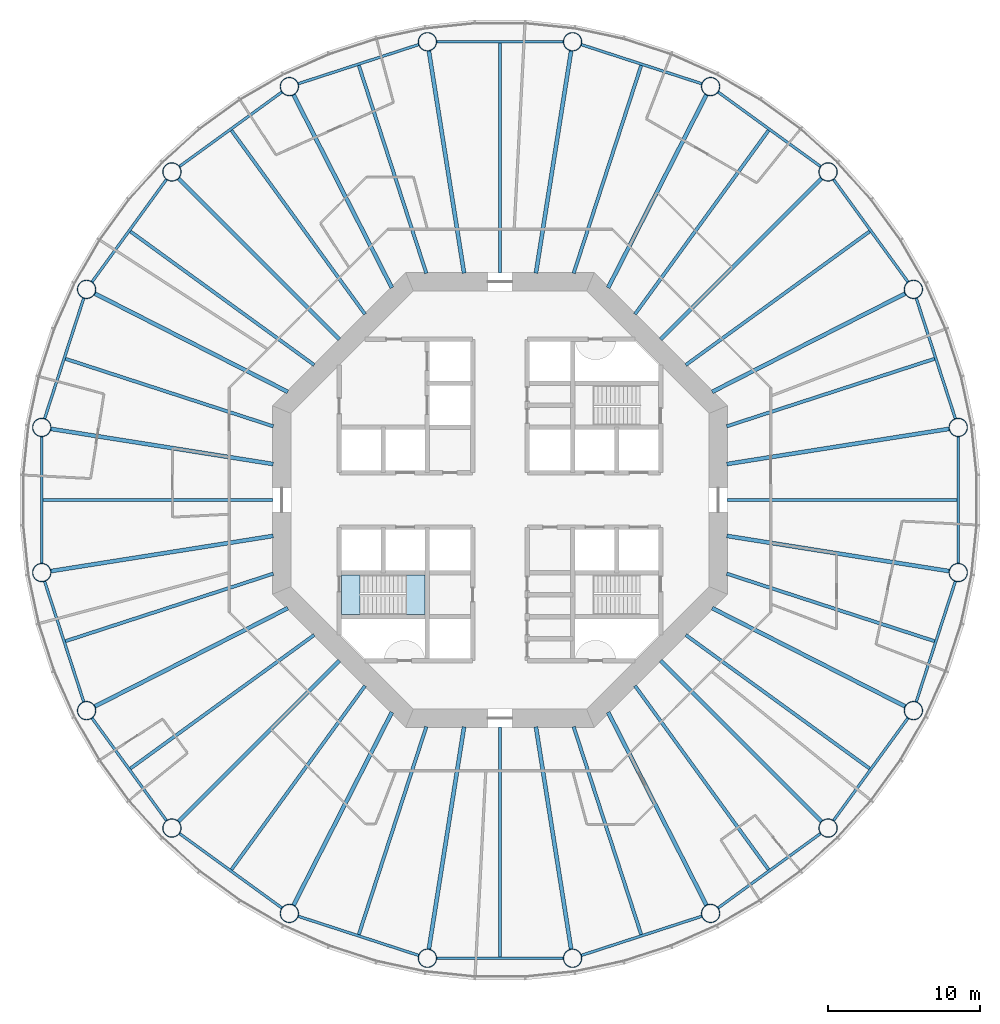
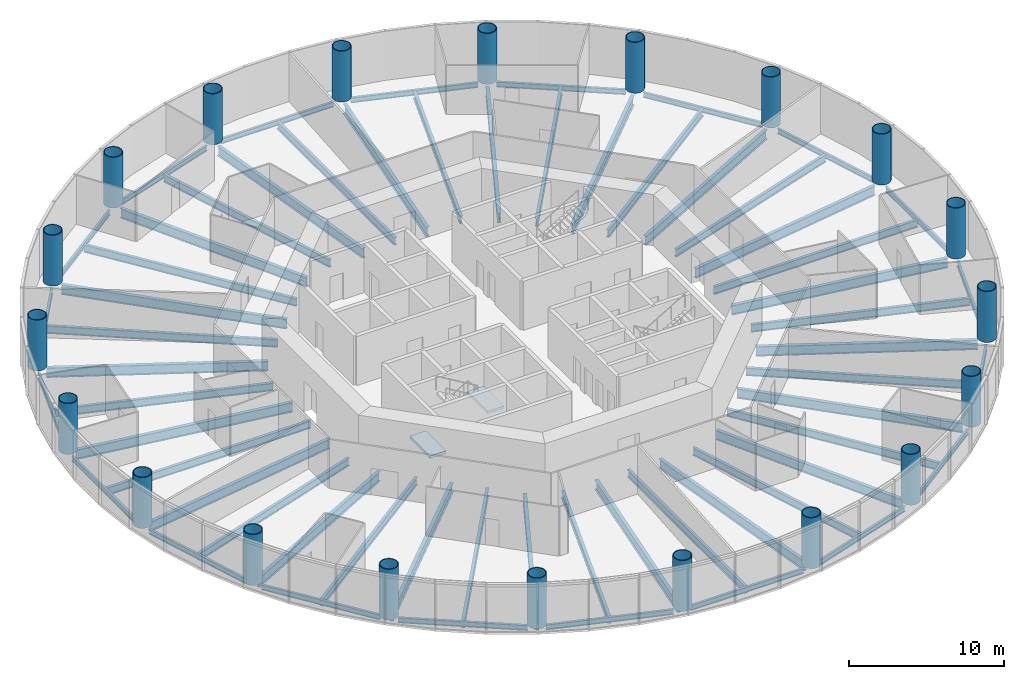
# One storey, part 1 of 13: 60 beams, 20 columns, 2 slabs, 1 element without a shape of its own.
"""IFC4 building model written with IfcOpenShell, lengths in metres."""

from ifc_helpers import new_model, si_unit, direction, frame, origin, origin_2d, place, context, subcontext, project, spatial, polyline, circle, hollow_circle, i_section, outline, extrude, material, layer, layer_set, material_profile, profile_set, type_object, element, aggregate, save


model = new_model("IFC4")

# Units and contexts
model_context = context("Model", 3, precision=1e-05, world=origin(), true_north=direction((0.0, 1.0)))
body_context = subcontext(model_context, "Body", "Model", "MODEL_VIEW")
ifc_project = project(units=[si_unit("LENGTHUNIT", "METRE"), si_unit("AREAUNIT", "SQUARE_METRE"), si_unit("VOLUMEUNIT", "CUBIC_METRE"), si_unit("PLANEANGLEUNIT", "RADIAN"), si_unit("MASSUNIT", "GRAM", prefix="KILO")], contexts=[model_context])

# Site, building, storey
site_placement = place(None, origin())
site = spatial("IfcSite", under=ifc_project, at=site_placement, CompositionType="ELEMENT")
building_placement = place(site_placement, origin())
building = spatial("IfcBuilding", under=site, at=building_placement, Name="Entoto Ring Tower", CompositionType="ELEMENT")
storey_placement = place(building_placement, frame((0.0, 0.0, 84.0)))
storey = spatial("IfcBuildingStorey", under=building, at=storey_placement, Name="L18", CompositionType="ELEMENT", Elevation=84.0)

# Columns
ifc_material_1 = material(Name="Steel S355", Category="steel")
ifc_material_profile_1 = material_profile(ifc_material_1, hollow_circle(Radius=0.625, WallThickness=0.054931640625, at=origin_2d()), Name="CHS 1250 x 55")
ifc_material_2 = material(Name="Concrete C60/75", Category="concrete")
ifc_material_profile_2 = material_profile(ifc_material_2, circle(Radius=0.570068359375, at=origin_2d()), Name="Concrete C60/75 infill")
ifc_profile_set_1 = profile_set([ifc_material_profile_1, ifc_material_profile_2], Name="Steel S355")
column_type = type_object("IfcColumnType", Name="Ring column 1250 x 55 concrete-filled tube", PredefinedType="COLUMN", material=ifc_profile_set_1)
for number, where, z_axis, x_axis, name in (
    (1, (120.22314453125, 84.786865234375, 0.0), (0.0, 0.0, 1.0), (1.0, 0.0, 0.0), "RC2 R01"),
    (2, (117.264892578125, 93.89208984375, 0.0), (0.0, 0.0, 1.0), (1.0, 0.0, 0.0), "RC2 R02"),
    (3, (111.637451171875, 101.637451171875, 0.0), (0.0, 0.0, 1.0), (1.0, 0.0, 0.0), "RC2 R03"),
    (4, (103.89208984375, 107.264892578125, 0.0), (0.0, 0.0, 1.0), (1.0, 0.0, 0.0), "RC2 R04"),
    (5, (94.786865234375, 110.22314453125, 0.0), (0.0, 0.0, 1.0), (1.0, 0.0, 0.0), "RC2 R05"),
    (6, (85.213134765625, 110.22314453125, 0.0), (0.0, 0.0, 1.0), (1.0, 0.0, 0.0), "RC2 R06"),
    (7, (76.10791015625, 107.264892578125, 0.0), (0.0, 0.0, 1.0), (1.0, 0.0, 0.0), "RC2 R07"),
    (8, (68.362548828125, 101.637451171875, 0.0), (0.0, 0.0, 1.0), (1.0, 0.0, 0.0), "RC2 R08"),
    (9, (62.735107421875, 93.89208984375, 0.0), (0.0, 0.0, 1.0), (1.0, 0.0, 0.0), "RC2 R09"),
    (10, (59.77685546875, 84.786865234375, 0.0), (0.0, 0.0, 1.0), (1.0, 0.0, 0.0), "RC2 R10"),
    (11, (59.77685546875, 75.213134765625, 0.0), (0.0, 0.0, 1.0), (1.0, 0.0, 0.0), "RC2 R11"),
    (12, (62.735107421875, 66.10791015625, 0.0), (0.0, 0.0, 1.0), (1.0, 0.0, 0.0), "RC2 R12"),
    (13, (68.362548828125, 58.362548828125, 0.0), (0.0, 0.0, 1.0), (1.0, 0.0, 0.0), "RC2 R13"),
    (14, (76.10791015625, 52.735107421875, 0.0), (0.0, 0.0, 1.0), (1.0, 0.0, 0.0), "RC2 R14"),
    (15, (85.213134765625, 49.77685546875, 0.0), (0.0, 0.0, 1.0), (1.0, 0.0, 0.0), "RC2 R15"),
    (16, (94.786865234375, 49.77685546875, 0.0), (0.0, 0.0, 1.0), (1.0, 0.0, 0.0), "RC2 R16"),
    (17, (103.89208984375, 52.735107421875, 0.0), (0.0, 0.0, 1.0), (1.0, 0.0, 0.0), "RC2 R17"),
    (18, (111.637451171875, 58.362548828125, 0.0), (0.0, 0.0, 1.0), (1.0, 0.0, 0.0), "RC2 R18"),
    (19, (117.264892578125, 66.10791015625, 0.0), (0.0, 0.0, 1.0), (1.0, 0.0, 0.0), "RC2 R19"),
    (20, (120.22314453125, 75.213134765625, 0.0), (0.0, 0.0, 1.0), (1.0, 0.0, 0.0), "RC2 R20"),
):
    element("IfcColumn", number, at=place(storey_placement, frame(where, z_axis=z_axis, x_axis=x_axis)), inside=storey, type_object=column_type, Name=name, PredefinedType="COLUMN", context=body_context, shape_type="SweptSolid", body=[
        extrude(hollow_circle(Radius=0.625, WallThickness=0.054931640625, at=origin_2d()), origin(), (0.0, 0.0, 1.0), 4.0),
    ])

# Beams
ifc_material_3 = material(Name="Steel S355", Category="steel")
ifc_material_profile_3 = material_profile(ifc_material_3, i_section(OverallWidth=0.179931640625, OverallDepth=0.39990234375, WebThickness=0.008544921875, FlangeThickness=0.013427734375, FilletRadius=0.02099609375, at=origin_2d()), Name="IPE 400")
ifc_profile_set_2 = profile_set([ifc_material_profile_3], Name="Steel S355")
beam_type_1 = type_object("IfcBeamType", Name="Edge beam IPE 400", PredefinedType="SPANDREL", material=ifc_profile_set_2)
for number, where, z_axis, x_axis, name in (
    (21, (120.038330078125, 85.35595703125, -0.35009765625), (-0.309014241039, 0.951057410904, 0.0), (-0.951057410904, -0.309014241039, 0.0), "Edge beam L18 01"),
    (22, (116.9130859375, 94.376220703125, -0.35009765625), (-0.587783458554, 0.8090182976, 0.0), (-0.8090182976, -0.587783458554, 0.0), "Edge beam L18 02"),
    (23, (111.1533203125, 101.9892578125, -0.35009765625), (-0.8090182976, 0.587783458554, 0.0), (-0.587783458554, -0.8090182976, 0.0), "Edge beam L18 03"),
    (24, (103.322998046875, 107.44970703125, -0.35009765625), (-0.951057410904, 0.309014241039, 0.0), (-0.309014241039, -0.951057410904, 0.0), "Edge beam L18 04"),
    (25, (94.1884765625, 110.22314453125, -0.35009765625), (-1.0, 0.0, 0.0), (0.0, -1.0, 0.0), "Edge beam L18 05"),
    (26, (84.64404296875, 110.038330078125, -0.35009765625), (-0.951057410904, -0.309014241039, 0.0), (0.309014241039, -0.951057410904, 0.0), "Edge beam L18 06"),
    (27, (75.623779296875, 106.9130859375, -0.35009765625), (-0.8090182976, -0.587783458554, 0.0), (0.587783458554, -0.8090182976, 0.0), "Edge beam L18 07"),
    (28, (68.0107421875, 101.1533203125, -0.35009765625), (-0.587783458554, -0.8090182976, 0.0), (0.8090182976, -0.587783458554, 0.0), "Edge beam L18 08"),
    (29, (62.55029296875, 93.322998046875, -0.35009765625), (-0.309014241039, -0.951057410904, 0.0), (0.951057410904, -0.309014241039, 0.0), "Edge beam L18 09"),
    (30, (59.77685546875, 84.1884765625, -0.35009765625), (0.0, -1.0, 0.0), (1.0, 0.0, 0.0), "Edge beam L18 10"),
    (31, (59.961669921875, 74.64404296875, -0.35009765625), (0.309014241039, -0.951057410904, 0.0), (0.951057410904, 0.309014241039, 0.0), "Edge beam L18 11"),
    (32, (63.0869140625, 65.623779296875, -0.35009765625), (0.587783458554, -0.8090182976, 0.0), (0.8090182976, 0.587783458554, 0.0), "Edge beam L18 12"),
    (33, (68.8466796875, 58.0107421875, -0.35009765625), (0.8090182976, -0.587783458554, 0.0), (0.587783458554, 0.8090182976, 0.0), "Edge beam L18 13"),
    (34, (76.677001953125, 52.55029296875, -0.35009765625), (0.951057410904, -0.309014241039, 0.0), (0.309014241039, 0.951057410904, 0.0), "Edge beam L18 14"),
    (35, (85.8115234375, 49.77685546875, -0.35009765625), (1.0, 0.0, 0.0), (0.0, 1.0, 0.0), "Edge beam L18 15"),
    (36, (95.35595703125, 49.961669921875, -0.35009765625), (0.951057410904, 0.309014241039, 0.0), (-0.309014241039, 0.951057410904, 0.0), "Edge beam L18 16"),
    (37, (104.376220703125, 53.0869140625, -0.35009765625), (0.8090182976, 0.587783458554, 0.0), (-0.587783458554, 0.8090182976, 0.0), "Edge beam L18 17"),
    (38, (111.9892578125, 58.8466796875, -0.35009765625), (0.587783458554, 0.8090182976, 0.0), (-0.8090182976, 0.587783458554, 0.0), "Edge beam L18 18"),
    (39, (117.44970703125, 66.677001953125, -0.35009765625), (0.309014241039, 0.951057410904, 0.0), (-0.951057410904, 0.309014241039, 0.0), "Edge beam L18 19"),
    (40, (120.22314453125, 75.8115234375, -0.35009765625), (0.0, 1.0, 0.0), (-1.0, 0.0, 0.0), "Edge beam L18 20"),
):
    element("IfcBeam", number, at=place(storey_placement, frame(where, z_axis=z_axis, x_axis=x_axis)), inside=storey, type_object=beam_type_1, Name=name, PredefinedType="SPANDREL", context=body_context, shape_type="SweptSolid", body=[
        extrude(i_section(OverallWidth=0.179931640625, OverallDepth=0.39990234375, WebThickness=0.008544921875, FlangeThickness=0.013427734375, FilletRadius=0.02099609375, at=origin_2d()), origin(), (0.0, 0.0, 1.0), 8.376953125),
    ])
ifc_material_4 = material(Name="Steel S355", Category="steel")
ifc_material_profile_4 = material_profile(ifc_material_4, i_section(OverallWidth=0.262939453125, OverallDepth=0.7529296875, WebThickness=0.011474609375, FlangeThickness=0.01708984375, FilletRadius=0.01708984375, at=origin_2d()), Name="IPE 750 x 137")
ifc_profile_set_3 = profile_set([ifc_material_profile_4], Name="Steel S355")
beam_type_2 = type_object("IfcBeamType", Name="Primary floor beam IPE 750 x 137", PredefinedType="BEAM", material=ifc_profile_set_3)
beam_1_placement = place(storey_placement, frame((104.959716796875, 82.369384765625, -0.526611328125), z_axis=(0.98768960451, 0.156426484787, 0.0), x_axis=(-0.156426484787, 0.98768960451, 0.0)))
element("IfcBeam", 41, at=beam_1_placement, inside=storey, type_object=beam_type_2, Name="Primary L18 R01", PredefinedType="BEAM", context=body_context, shape_type="SweptSolid", body=[
    extrude(i_section(OverallWidth=0.262939453125, OverallDepth=0.7529296875, WebThickness=0.011474609375, FlangeThickness=0.01708984375, FilletRadius=0.01708984375, at=origin_2d()), origin(), (0.0, 0.0, 1.0), 14.86279296875),
])
beam_2_placement = place(storey_placement, frame((103.9970703125, 87.1318359375, -0.526611328125), z_axis=(0.891007312585, 0.453988952421, 0.0), x_axis=(-0.453988952421, 0.891007312585, 0.0)))
element("IfcBeam", 42, at=beam_2_placement, inside=storey, type_object=beam_type_2, Name="Primary L18 R02", PredefinedType="BEAM", context=body_context, shape_type="SweptSolid", body=[
    extrude(i_section(OverallWidth=0.262939453125, OverallDepth=0.7529296875, WebThickness=0.011474609375, FlangeThickness=0.01708984375, FilletRadius=0.01708984375, at=origin_2d()), origin(), (0.0, 0.0, 1.0), 14.2998046875),
])
beam_3_placement = place(storey_placement, frame((100.592529296875, 90.592529296875, -0.526611328125), z_axis=(0.707106781187, 0.707106781187, 0.0), x_axis=(-0.707106781187, 0.707106781187, 0.0)))
element("IfcBeam", 43, at=beam_3_placement, inside=storey, type_object=beam_type_2, Name="Primary L18 R03", PredefinedType="BEAM", context=body_context, shape_type="SweptSolid", body=[
    extrude(i_section(OverallWidth=0.262939453125, OverallDepth=0.7529296875, WebThickness=0.011474609375, FlangeThickness=0.01708984375, FilletRadius=0.01708984375, at=origin_2d()), origin(), (0.0, 0.0, 1.0), 15.029052734375),
])
beam_4_placement = place(storey_placement, frame((97.1318359375, 93.9970703125, -0.526611328125), z_axis=(0.453988952421, 0.891007312585, 0.0), x_axis=(-0.891007312585, 0.453988952421, 0.0)))
element("IfcBeam", 44, at=beam_4_placement, inside=storey, type_object=beam_type_2, Name="Primary L18 R04", PredefinedType="BEAM", context=body_context, shape_type="SweptSolid", body=[
    extrude(i_section(OverallWidth=0.262939453125, OverallDepth=0.7529296875, WebThickness=0.011474609375, FlangeThickness=0.01708984375, FilletRadius=0.01708984375, at=origin_2d()), origin(), (0.0, 0.0, 1.0), 14.2998046875),
])
for number, where, z_axis, x_axis, name in (
    (45, (92.369384765625, 94.959716796875, -0.526611328125), (0.156426484787, 0.98768960451, 0.0), (-0.98768960451, 0.156426484787, 0.0), "Primary L18 R05"),
    (46, (87.630615234375, 94.959716796875, -0.526611328125), (-0.156426484787, 0.98768960451, 0.0), (-0.98768960451, -0.156426484787, 0.0), "Primary L18 R06"),
):
    element("IfcBeam", number, at=place(storey_placement, frame(where, z_axis=z_axis, x_axis=x_axis)), inside=storey, type_object=beam_type_2, Name=name, PredefinedType="BEAM", context=body_context, shape_type="SweptSolid", body=[
        extrude(i_section(OverallWidth=0.262939453125, OverallDepth=0.7529296875, WebThickness=0.011474609375, FlangeThickness=0.01708984375, FilletRadius=0.01708984375, at=origin_2d()), origin(), (0.0, 0.0, 1.0), 14.86279296875),
    ])
beam_5_placement = place(storey_placement, frame((82.8681640625, 93.9970703125, -0.526611328125), z_axis=(-0.453988952421, 0.891007312585, 0.0), x_axis=(-0.891007312585, -0.453988952421, 0.0)))
element("IfcBeam", 47, at=beam_5_placement, inside=storey, type_object=beam_type_2, Name="Primary L18 R07", PredefinedType="BEAM", context=body_context, shape_type="SweptSolid", body=[
    extrude(i_section(OverallWidth=0.262939453125, OverallDepth=0.7529296875, WebThickness=0.011474609375, FlangeThickness=0.01708984375, FilletRadius=0.01708984375, at=origin_2d()), origin(), (0.0, 0.0, 1.0), 14.2998046875),
])
beam_6_placement = place(storey_placement, frame((79.407470703125, 90.592529296875, -0.526611328125), z_axis=(-0.707106781187, 0.707106781187, 0.0), x_axis=(-0.707106781187, -0.707106781187, 0.0)))
element("IfcBeam", 48, at=beam_6_placement, inside=storey, type_object=beam_type_2, Name="Primary L18 R08", PredefinedType="BEAM", context=body_context, shape_type="SweptSolid", body=[
    extrude(i_section(OverallWidth=0.262939453125, OverallDepth=0.7529296875, WebThickness=0.011474609375, FlangeThickness=0.01708984375, FilletRadius=0.01708984375, at=origin_2d()), origin(), (0.0, 0.0, 1.0), 15.029052734375),
])
beam_7_placement = place(storey_placement, frame((76.0029296875, 87.1318359375, -0.526611328125), z_axis=(-0.891007312585, 0.453988952421, 0.0), x_axis=(-0.453988952421, -0.891007312585, 0.0)))
element("IfcBeam", 49, at=beam_7_placement, inside=storey, type_object=beam_type_2, Name="Primary L18 R09", PredefinedType="BEAM", context=body_context, shape_type="SweptSolid", body=[
    extrude(i_section(OverallWidth=0.262939453125, OverallDepth=0.7529296875, WebThickness=0.011474609375, FlangeThickness=0.01708984375, FilletRadius=0.01708984375, at=origin_2d()), origin(), (0.0, 0.0, 1.0), 14.2998046875),
])
for number, where, z_axis, x_axis, name in (
    (50, (75.040283203125, 82.369384765625, -0.526611328125), (-0.98768960451, 0.156426484787, 0.0), (-0.156426484787, -0.98768960451, 0.0), "Primary L18 R10"),
    (51, (75.040283203125, 77.630615234375, -0.526611328125), (-0.98768960451, -0.156426484787, 0.0), (0.156426484787, -0.98768960451, 0.0), "Primary L18 R11"),
):
    element("IfcBeam", number, at=place(storey_placement, frame(where, z_axis=z_axis, x_axis=x_axis)), inside=storey, type_object=beam_type_2, Name=name, PredefinedType="BEAM", context=body_context, shape_type="SweptSolid", body=[
        extrude(i_section(OverallWidth=0.262939453125, OverallDepth=0.7529296875, WebThickness=0.011474609375, FlangeThickness=0.01708984375, FilletRadius=0.01708984375, at=origin_2d()), origin(), (0.0, 0.0, 1.0), 14.86279296875),
    ])
beam_8_placement = place(storey_placement, frame((76.0029296875, 72.8681640625, -0.526611328125), z_axis=(-0.891007312585, -0.453988952421, 0.0), x_axis=(0.453988952421, -0.891007312585, 0.0)))
element("IfcBeam", 52, at=beam_8_placement, inside=storey, type_object=beam_type_2, Name="Primary L18 R12", PredefinedType="BEAM", context=body_context, shape_type="SweptSolid", body=[
    extrude(i_section(OverallWidth=0.262939453125, OverallDepth=0.7529296875, WebThickness=0.011474609375, FlangeThickness=0.01708984375, FilletRadius=0.01708984375, at=origin_2d()), origin(), (0.0, 0.0, 1.0), 14.2998046875),
])
beam_9_placement = place(storey_placement, frame((79.407470703125, 69.407470703125, -0.526611328125), z_axis=(-0.707106781187, -0.707106781187, 0.0), x_axis=(0.707106781187, -0.707106781187, 0.0)))
element("IfcBeam", 53, at=beam_9_placement, inside=storey, type_object=beam_type_2, Name="Primary L18 R13", PredefinedType="BEAM", context=body_context, shape_type="SweptSolid", body=[
    extrude(i_section(OverallWidth=0.262939453125, OverallDepth=0.7529296875, WebThickness=0.011474609375, FlangeThickness=0.01708984375, FilletRadius=0.01708984375, at=origin_2d()), origin(), (0.0, 0.0, 1.0), 15.029052734375),
])
beam_10_placement = place(storey_placement, frame((82.8681640625, 66.0029296875, -0.526611328125), z_axis=(-0.453988952421, -0.891007312585, 0.0), x_axis=(0.891007312585, -0.453988952421, 0.0)))
element("IfcBeam", 54, at=beam_10_placement, inside=storey, type_object=beam_type_2, Name="Primary L18 R14", PredefinedType="BEAM", context=body_context, shape_type="SweptSolid", body=[
    extrude(i_section(OverallWidth=0.262939453125, OverallDepth=0.7529296875, WebThickness=0.011474609375, FlangeThickness=0.01708984375, FilletRadius=0.01708984375, at=origin_2d()), origin(), (0.0, 0.0, 1.0), 14.2998046875),
])
for number, where, z_axis, x_axis, name in (
    (55, (87.630615234375, 65.040283203125, -0.526611328125), (-0.156426484787, -0.98768960451, 0.0), (0.98768960451, -0.156426484787, 0.0), "Primary L18 R15"),
    (56, (92.369384765625, 65.040283203125, -0.526611328125), (0.156426484787, -0.98768960451, 0.0), (0.98768960451, 0.156426484787, 0.0), "Primary L18 R16"),
):
    element("IfcBeam", number, at=place(storey_placement, frame(where, z_axis=z_axis, x_axis=x_axis)), inside=storey, type_object=beam_type_2, Name=name, PredefinedType="BEAM", context=body_context, shape_type="SweptSolid", body=[
        extrude(i_section(OverallWidth=0.262939453125, OverallDepth=0.7529296875, WebThickness=0.011474609375, FlangeThickness=0.01708984375, FilletRadius=0.01708984375, at=origin_2d()), origin(), (0.0, 0.0, 1.0), 14.86279296875),
    ])
beam_11_placement = place(storey_placement, frame((97.1318359375, 66.0029296875, -0.526611328125), z_axis=(0.453988952421, -0.891007312585, 0.0), x_axis=(0.891007312585, 0.453988952421, 0.0)))
element("IfcBeam", 57, at=beam_11_placement, inside=storey, type_object=beam_type_2, Name="Primary L18 R17", PredefinedType="BEAM", context=body_context, shape_type="SweptSolid", body=[
    extrude(i_section(OverallWidth=0.262939453125, OverallDepth=0.7529296875, WebThickness=0.011474609375, FlangeThickness=0.01708984375, FilletRadius=0.01708984375, at=origin_2d()), origin(), (0.0, 0.0, 1.0), 14.2998046875),
])
beam_12_placement = place(storey_placement, frame((100.592529296875, 69.407470703125, -0.526611328125), z_axis=(0.707106781187, -0.707106781187, 0.0), x_axis=(0.707106781187, 0.707106781187, 0.0)))
element("IfcBeam", 58, at=beam_12_placement, inside=storey, type_object=beam_type_2, Name="Primary L18 R18", PredefinedType="BEAM", context=body_context, shape_type="SweptSolid", body=[
    extrude(i_section(OverallWidth=0.262939453125, OverallDepth=0.7529296875, WebThickness=0.011474609375, FlangeThickness=0.01708984375, FilletRadius=0.01708984375, at=origin_2d()), origin(), (0.0, 0.0, 1.0), 15.029052734375),
])
beam_13_placement = place(storey_placement, frame((103.9970703125, 72.8681640625, -0.526611328125), z_axis=(0.891007312585, -0.453988952421, 0.0), x_axis=(0.453988952421, 0.891007312585, 0.0)))
element("IfcBeam", 59, at=beam_13_placement, inside=storey, type_object=beam_type_2, Name="Primary L18 R19", PredefinedType="BEAM", context=body_context, shape_type="SweptSolid", body=[
    extrude(i_section(OverallWidth=0.262939453125, OverallDepth=0.7529296875, WebThickness=0.011474609375, FlangeThickness=0.01708984375, FilletRadius=0.01708984375, at=origin_2d()), origin(), (0.0, 0.0, 1.0), 14.2998046875),
])
beam_14_placement = place(storey_placement, frame((104.959716796875, 77.630615234375, -0.526611328125), z_axis=(0.98768960451, -0.156426484787, 0.0), x_axis=(0.156426484787, 0.98768960451, 0.0)))
element("IfcBeam", 60, at=beam_14_placement, inside=storey, type_object=beam_type_2, Name="Primary L18 R20", PredefinedType="BEAM", context=body_context, shape_type="SweptSolid", body=[
    extrude(i_section(OverallWidth=0.262939453125, OverallDepth=0.7529296875, WebThickness=0.011474609375, FlangeThickness=0.01708984375, FilletRadius=0.01708984375, at=origin_2d()), origin(), (0.0, 0.0, 1.0), 14.86279296875),
])
ifc_material_5 = material(Name="Steel S355", Category="steel")
ifc_material_profile_5 = material_profile(ifc_material_5, i_section(OverallWidth=0.219970703125, OverallDepth=0.60009765625, WebThickness=0.011962890625, FlangeThickness=0.01904296875, FilletRadius=0.02392578125, at=origin_2d()), Name="IPE 600")
ifc_profile_set_4 = profile_set([ifc_material_profile_5], Name="Steel S355")
beam_type_3 = type_object("IfcBeamType", Name="Secondary floor beam IPE 600", PredefinedType="JOIST", material=ifc_profile_set_4)
beam_15_placement = place(storey_placement, frame((104.947021484375, 84.856689453125, -0.449951171875), z_axis=(0.951057212949, 0.309014850288, 0.0), x_axis=(-0.309014850288, 0.951057212949, 0.0)))
element("IfcBeam", 61, at=beam_15_placement, inside=storey, type_object=beam_type_3, Name="Secondary beam L18 01", PredefinedType="JOIST", context=body_context, shape_type="SweptSolid", body=[
    extrude(i_section(OverallWidth=0.219970703125, OverallDepth=0.60009765625, WebThickness=0.011962890625, FlangeThickness=0.01904296875, FilletRadius=0.02392578125, at=origin_2d()), origin(), (0.0, 0.0, 1.0), 14.4169921875),
])
for number, where, z_axis, x_axis, name in (
    (62, (102.25634765625, 88.90478515625, -0.449951171875), (0.809019238239, 0.587782163866, 0.0), (-0.587782163866, 0.809019238239, 0.0), "Secondary beam L18 02"),
    (63, (98.90478515625, 92.25634765625, -0.449951171875), (0.587782163866, 0.809019238239, 0.0), (-0.809019238239, 0.587782163866, 0.0), "Secondary beam L18 03"),
):
    element("IfcBeam", number, at=place(storey_placement, frame(where, z_axis=z_axis, x_axis=x_axis)), inside=storey, type_object=beam_type_3, Name=name, PredefinedType="JOIST", context=body_context, shape_type="SweptSolid", body=[
        extrude(i_section(OverallWidth=0.219970703125, OverallDepth=0.60009765625, WebThickness=0.011962890625, FlangeThickness=0.01904296875, FilletRadius=0.02392578125, at=origin_2d()), origin(), (0.0, 0.0, 1.0), 14.983642578125),
    ])
beam_16_placement = place(storey_placement, frame((94.856689453125, 94.947021484375, -0.449951171875), z_axis=(0.309014850288, 0.951057212949, 0.0), x_axis=(-0.951057212949, 0.309014850288, 0.0)))
element("IfcBeam", 64, at=beam_16_placement, inside=storey, type_object=beam_type_3, Name="Secondary beam L18 04", PredefinedType="JOIST", context=body_context, shape_type="SweptSolid", body=[
    extrude(i_section(OverallWidth=0.219970703125, OverallDepth=0.60009765625, WebThickness=0.011962890625, FlangeThickness=0.01904296875, FilletRadius=0.02392578125, at=origin_2d()), origin(), (0.0, 0.0, 1.0), 14.4169921875),
])
beam_17_placement = place(storey_placement, frame((90.0, 94.97998046875, -0.449951171875), z_axis=(0.0, 1.0, 0.0), x_axis=(-1.0, 0.0, 0.0)))
element("IfcBeam", 65, at=beam_17_placement, inside=storey, type_object=beam_type_3, Name="Secondary beam L18 05", PredefinedType="JOIST", context=body_context, shape_type="SweptSolid", body=[
    extrude(i_section(OverallWidth=0.219970703125, OverallDepth=0.60009765625, WebThickness=0.011962890625, FlangeThickness=0.01904296875, FilletRadius=0.02392578125, at=origin_2d()), origin(), (0.0, 0.0, 1.0), 15.1533203125),
])
beam_18_placement = place(storey_placement, frame((85.143310546875, 94.947021484375, -0.449951171875), z_axis=(-0.309014850288, 0.951057212949, 0.0), x_axis=(-0.951057212949, -0.309014850288, 0.0)))
element("IfcBeam", 66, at=beam_18_placement, inside=storey, type_object=beam_type_3, Name="Secondary beam L18 06", PredefinedType="JOIST", context=body_context, shape_type="SweptSolid", body=[
    extrude(i_section(OverallWidth=0.219970703125, OverallDepth=0.60009765625, WebThickness=0.011962890625, FlangeThickness=0.01904296875, FilletRadius=0.02392578125, at=origin_2d()), origin(), (0.0, 0.0, 1.0), 14.4169921875),
])
for number, where, z_axis, x_axis, name in (
    (67, (81.09521484375, 92.25634765625, -0.449951171875), (-0.587782163866, 0.809019238239, 0.0), (-0.809019238239, -0.587782163866, 0.0), "Secondary beam L18 07"),
    (68, (77.74365234375, 88.90478515625, -0.449951171875), (-0.809019238239, 0.587782163866, 0.0), (-0.587782163866, -0.809019238239, 0.0), "Secondary beam L18 08"),
):
    element("IfcBeam", number, at=place(storey_placement, frame(where, z_axis=z_axis, x_axis=x_axis)), inside=storey, type_object=beam_type_3, Name=name, PredefinedType="JOIST", context=body_context, shape_type="SweptSolid", body=[
        extrude(i_section(OverallWidth=0.219970703125, OverallDepth=0.60009765625, WebThickness=0.011962890625, FlangeThickness=0.01904296875, FilletRadius=0.02392578125, at=origin_2d()), origin(), (0.0, 0.0, 1.0), 14.983642578125),
    ])
beam_19_placement = place(storey_placement, frame((75.052978515625, 84.856689453125, -0.449951171875), z_axis=(-0.951057212949, 0.309014850288, 0.0), x_axis=(-0.309014850288, -0.951057212949, 0.0)))
element("IfcBeam", 69, at=beam_19_placement, inside=storey, type_object=beam_type_3, Name="Secondary beam L18 09", PredefinedType="JOIST", context=body_context, shape_type="SweptSolid", body=[
    extrude(i_section(OverallWidth=0.219970703125, OverallDepth=0.60009765625, WebThickness=0.011962890625, FlangeThickness=0.01904296875, FilletRadius=0.02392578125, at=origin_2d()), origin(), (0.0, 0.0, 1.0), 14.4169921875),
])
beam_20_placement = place(storey_placement, frame((75.02001953125, 80.0, -0.449951171875), z_axis=(-1.0, 0.0, 0.0), x_axis=(0.0, -1.0, 0.0)))
element("IfcBeam", 70, at=beam_20_placement, inside=storey, type_object=beam_type_3, Name="Secondary beam L18 10", PredefinedType="JOIST", context=body_context, shape_type="SweptSolid", body=[
    extrude(i_section(OverallWidth=0.219970703125, OverallDepth=0.60009765625, WebThickness=0.011962890625, FlangeThickness=0.01904296875, FilletRadius=0.02392578125, at=origin_2d()), origin(), (0.0, 0.0, 1.0), 15.1533203125),
])
beam_21_placement = place(storey_placement, frame((75.052978515625, 75.143310546875, -0.449951171875), z_axis=(-0.951057212949, -0.309014850288, 0.0), x_axis=(0.309014850288, -0.951057212949, 0.0)))
element("IfcBeam", 71, at=beam_21_placement, inside=storey, type_object=beam_type_3, Name="Secondary beam L18 11", PredefinedType="JOIST", context=body_context, shape_type="SweptSolid", body=[
    extrude(i_section(OverallWidth=0.219970703125, OverallDepth=0.60009765625, WebThickness=0.011962890625, FlangeThickness=0.01904296875, FilletRadius=0.02392578125, at=origin_2d()), origin(), (0.0, 0.0, 1.0), 14.4169921875),
])
for number, where, z_axis, x_axis, name in (
    (72, (77.74365234375, 71.09521484375, -0.449951171875), (-0.809019238239, -0.587782163866, 0.0), (0.587782163866, -0.809019238239, 0.0), "Secondary beam L18 12"),
    (73, (81.09521484375, 67.74365234375, -0.449951171875), (-0.587782163866, -0.809019238239, 0.0), (0.809019238239, -0.587782163866, 0.0), "Secondary beam L18 13"),
):
    element("IfcBeam", number, at=place(storey_placement, frame(where, z_axis=z_axis, x_axis=x_axis)), inside=storey, type_object=beam_type_3, Name=name, PredefinedType="JOIST", context=body_context, shape_type="SweptSolid", body=[
        extrude(i_section(OverallWidth=0.219970703125, OverallDepth=0.60009765625, WebThickness=0.011962890625, FlangeThickness=0.01904296875, FilletRadius=0.02392578125, at=origin_2d()), origin(), (0.0, 0.0, 1.0), 14.983642578125),
    ])
beam_22_placement = place(storey_placement, frame((85.143310546875, 65.052978515625, -0.449951171875), z_axis=(-0.309014850288, -0.951057212949, 0.0), x_axis=(0.951057212949, -0.309014850288, 0.0)))
element("IfcBeam", 74, at=beam_22_placement, inside=storey, type_object=beam_type_3, Name="Secondary beam L18 14", PredefinedType="JOIST", context=body_context, shape_type="SweptSolid", body=[
    extrude(i_section(OverallWidth=0.219970703125, OverallDepth=0.60009765625, WebThickness=0.011962890625, FlangeThickness=0.01904296875, FilletRadius=0.02392578125, at=origin_2d()), origin(), (0.0, 0.0, 1.0), 14.4169921875),
])
beam_23_placement = place(storey_placement, frame((90.0, 65.02001953125, -0.449951171875), z_axis=(0.0, -1.0, 0.0), x_axis=(1.0, 0.0, 0.0)))
element("IfcBeam", 75, at=beam_23_placement, inside=storey, type_object=beam_type_3, Name="Secondary beam L18 15", PredefinedType="JOIST", context=body_context, shape_type="SweptSolid", body=[
    extrude(i_section(OverallWidth=0.219970703125, OverallDepth=0.60009765625, WebThickness=0.011962890625, FlangeThickness=0.01904296875, FilletRadius=0.02392578125, at=origin_2d()), origin(), (0.0, 0.0, 1.0), 15.1533203125),
])
beam_24_placement = place(storey_placement, frame((94.856689453125, 65.052978515625, -0.449951171875), z_axis=(0.309014850288, -0.951057212949, 0.0), x_axis=(0.951057212949, 0.309014850288, 0.0)))
element("IfcBeam", 76, at=beam_24_placement, inside=storey, type_object=beam_type_3, Name="Secondary beam L18 16", PredefinedType="JOIST", context=body_context, shape_type="SweptSolid", body=[
    extrude(i_section(OverallWidth=0.219970703125, OverallDepth=0.60009765625, WebThickness=0.011962890625, FlangeThickness=0.01904296875, FilletRadius=0.02392578125, at=origin_2d()), origin(), (0.0, 0.0, 1.0), 14.4169921875),
])
for number, where, z_axis, x_axis, name in (
    (77, (98.90478515625, 67.74365234375, -0.449951171875), (0.587782163866, -0.809019238239, 0.0), (0.809019238239, 0.587782163866, 0.0), "Secondary beam L18 17"),
    (78, (102.25634765625, 71.09521484375, -0.449951171875), (0.809019238239, -0.587782163866, 0.0), (0.587782163866, 0.809019238239, 0.0), "Secondary beam L18 18"),
):
    element("IfcBeam", number, at=place(storey_placement, frame(where, z_axis=z_axis, x_axis=x_axis)), inside=storey, type_object=beam_type_3, Name=name, PredefinedType="JOIST", context=body_context, shape_type="SweptSolid", body=[
        extrude(i_section(OverallWidth=0.219970703125, OverallDepth=0.60009765625, WebThickness=0.011962890625, FlangeThickness=0.01904296875, FilletRadius=0.02392578125, at=origin_2d()), origin(), (0.0, 0.0, 1.0), 14.983642578125),
    ])
beam_25_placement = place(storey_placement, frame((104.947021484375, 75.143310546875, -0.449951171875), z_axis=(0.951057212949, -0.309014850288, 0.0), x_axis=(0.309014850288, 0.951057212949, 0.0)))
element("IfcBeam", 79, at=beam_25_placement, inside=storey, type_object=beam_type_3, Name="Secondary beam L18 19", PredefinedType="JOIST", context=body_context, shape_type="SweptSolid", body=[
    extrude(i_section(OverallWidth=0.219970703125, OverallDepth=0.60009765625, WebThickness=0.011962890625, FlangeThickness=0.01904296875, FilletRadius=0.02392578125, at=origin_2d()), origin(), (0.0, 0.0, 1.0), 14.4169921875),
])
beam_26_placement = place(storey_placement, frame((104.97998046875, 80.0, -0.449951171875), z_axis=(1.0, 0.0, 0.0), x_axis=(0.0, 1.0, 0.0)))
element("IfcBeam", 80, at=beam_26_placement, inside=storey, type_object=beam_type_3, Name="Secondary beam L18 20", PredefinedType="JOIST", context=body_context, shape_type="SweptSolid", body=[
    extrude(i_section(OverallWidth=0.219970703125, OverallDepth=0.60009765625, WebThickness=0.011962890625, FlangeThickness=0.01904296875, FilletRadius=0.02392578125, at=origin_2d()), origin(), (0.0, 0.0, 1.0), 15.1533203125),
])

# Stair, slabs
ifc_material_6 = material(Name="Concrete C40/50", Category="concrete")
stair_type = type_object("IfcStairType", Name="Exit stair 1200 mm dog-leg reinforced concrete", PredefinedType="HALF_TURN_STAIR", material=ifc_material_6)
stair_placement = place(storey_placement, origin())
stair = element("IfcStair", 81, at=stair_placement, inside=storey, type_object=stair_type, Name="Exit stair 2", PredefinedType="HALF_TURN_STAIR")
ifc_material_7 = material(Name="Concrete C40/50", Category="concrete")
ifc_layer = layer(ifc_material_7, 0.199951171875)
ifc_layer_set = layer_set([ifc_layer], Name="Concrete C40/50")
slab_type = type_object("IfcSlabType", Name="Stair landing 200 mm reinforced concrete", PredefinedType="LANDING", material=ifc_layer_set)
slab_1_placement = place(storey_placement, frame((0.0, 0.0, -0.199951171875)))
slab_1 = element("IfcSlab", 82, at=slab_1_placement, type_object=slab_type, Name="ST2 landing 1", PredefinedType="LANDING", context=body_context, shape_type="SweptSolid", body=[
    extrude(outline(polyline([(80.75, 72.449951171875), (80.75, 75.050048828125), (79.550048828125, 75.050048828125), (79.550048828125, 72.449951171875), (80.75, 72.449951171875)])), origin(), (0.0, 0.0, 1.0), 0.199951171875),
])
slab_2_placement = place(storey_placement, frame((0.0, 0.0, 1.800048828125)))
slab_2 = element("IfcSlab", 83, at=slab_2_placement, type_object=slab_type, Name="ST2 landing 2", PredefinedType="LANDING", context=body_context, shape_type="SweptSolid", body=[
    extrude(outline(polyline([(83.830078125, 72.449951171875), (85.050048828125, 72.449951171875), (85.050048828125, 75.050048828125), (83.830078125, 75.050048828125), (83.830078125, 72.449951171875)])), origin(), (0.0, 0.0, 1.0), 0.199951171875),
])
aggregate(stair, [slab_1, slab_2])

save(model, "model.ifc")
